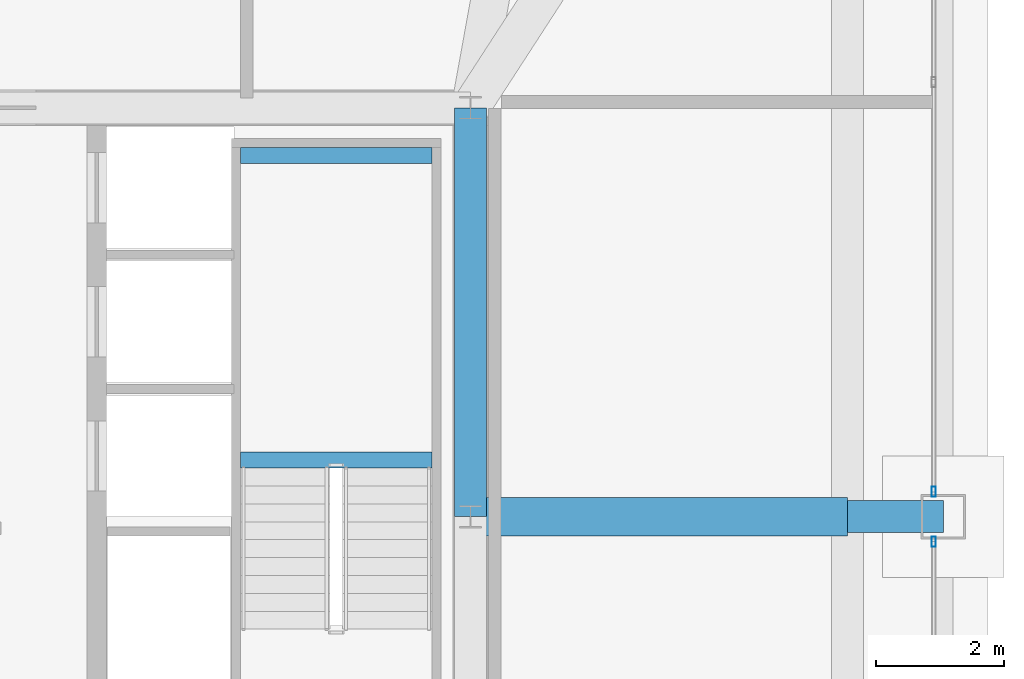
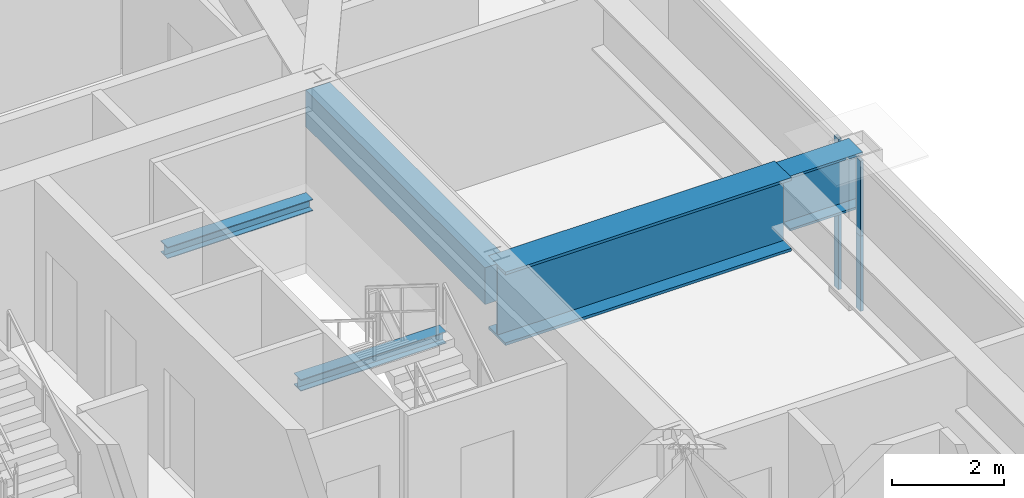
# One storey, part 17 of 33: 5 beams, 4 members, 2 elements without a shape of their own.
"""IFC4 building model written with IfcOpenShell, lengths in metres."""

from ifc_helpers import new_model, si_unit, direction, frame, origin, origin_2d, place, context, subcontext, project, spatial, rectangle, hollow_rectangle, i_section, extrude, source, transform, mapped, material, layer, layer_set, material_profile, profile_set, type_object, element, aggregate, save


model = new_model("IFC4")

# Units and contexts
model_context = context("Model", 3, precision=1e-05, world=origin(), true_north=direction((0.0, 1.0)))
body_context = subcontext(model_context, "Body", "Model", "MODEL_VIEW")
ifc_project = project(units=[si_unit("LENGTHUNIT", "METRE"), si_unit("AREAUNIT", "SQUARE_METRE"), si_unit("VOLUMEUNIT", "CUBIC_METRE"), si_unit("PLANEANGLEUNIT", "RADIAN"), si_unit("MASSUNIT", "GRAM", prefix="KILO"), si_unit("THERMODYNAMICTEMPERATUREUNIT", "KELVIN"), si_unit("POWERUNIT", "WATT")], contexts=[model_context])

# Site, building, storey
site_placement = place(None, origin())
site = spatial("IfcSite", under=ifc_project, at=site_placement, CompositionType="ELEMENT")
building_placement = place(site_placement, origin())
building = spatial("IfcBuilding", under=site, at=building_placement, Name="Yuzanri Waterfront Tower", CompositionType="ELEMENT")
storey_placement = place(building_placement, frame((0.0, 0.0, 282.10009765625)))
storey = spatial("IfcBuildingStorey", under=building, at=storey_placement, Name="L75", CompositionType="ELEMENT", Elevation=282.10009765625)

# Beams
ifc_material_1 = material(Name="Steel Q420GJC", Category="steel")
ifc_material_profile_1 = material_profile(ifc_material_1, i_section(OverallWidth=0.5, OverallDepth=1.199951171875, WebThickness=0.028076171875, FlangeThickness=0.050048828125, at=origin_2d()), Name="PG 1200x500x28x50")
ifc_profile_set_1 = profile_set([ifc_material_profile_1], Name="Steel Q420GJC")
beam_type_1 = type_object("IfcBeamType", Name="Setback Transfer Girder Q420GJC PG 1200x500", PredefinedType="USERDEFINED", material=ifc_profile_set_1)
shared_shape_1 = source(origin(), body_context, "Body", "SweptSolid", [
    extrude(i_section(OverallWidth=0.5, OverallDepth=1.199951171875, WebThickness=0.028076171875, FlangeThickness=0.050048828125, at=origin_2d()), origin(), (0.0, 0.0, 1.0), 1.5),
])
beam_1_placement = place(storey_placement, frame((56.10009765625, 25.800048828125, 2.679931640625), z_axis=(1.0, 0.0, 0.0), x_axis=(0.0, 1.0, 0.0)))
element("IfcBeam", 1, at=beam_1_placement, inside=storey, type_object=beam_type_1, Name="L75 Setback Step Transfer E2", ObjectType="GIRDER", PredefinedType="USERDEFINED", context=body_context, shape_type="MappedRepresentation", body=[
    mapped(shared_shape_1, transform((0.0, 0.0, 0.0), scale=1.0)),
])
ifc_material_2 = material(Name="Concrete C50", Category="concrete")
ifc_material_profile_2 = material_profile(ifc_material_2, rectangle(XDim=0.5, YDim=0.800048828125, at=origin_2d()), Name="RC 500x800")
ifc_profile_set_2 = profile_set([ifc_material_profile_2], Name="Concrete C50")
beam_type_2 = type_object("IfcBeamType", Name="Core Coupling Lintel Concrete C50 500x800", PredefinedType="LINTEL", material=ifc_profile_set_2)
shared_shape_2 = source(origin(), body_context, "Body", "SweptSolid", [
    extrude(rectangle(XDim=0.5, YDim=0.800048828125, at=origin_2d()), origin(), (0.0, 0.0, 1.0), 6.39990234375),
])
beam_2_placement = place(storey_placement, frame((50.199951171875, 25.800048828125, 2.8798828125), z_axis=(0.0, 1.0, 0.0), x_axis=(-1.0, 0.0, 0.0)))
element("IfcBeam", 2, at=beam_2_placement, inside=storey, type_object=beam_type_2, Name="L75 Core Tie Beam CE2", PredefinedType="LINTEL", context=body_context, shape_type="MappedRepresentation", body=[
    mapped(shared_shape_2, transform((0.0, 0.0, 0.0), scale=1.0)),
])
ifc_material_3 = material(Name="Steel Q420GJC", Category="steel")
ifc_material_profile_3 = material_profile(ifc_material_3, i_section(OverallWidth=0.60009765625, OverallDepth=1.60009765625, WebThickness=0.031982421875, FlangeThickness=0.06005859375, at=origin_2d()), Name="PG 1600x600x32x60")
ifc_profile_set_3 = profile_set([ifc_material_profile_3], Name="Steel Q420GJC")
beam_type_3 = type_object("IfcBeamType", Name="Ballroom Transfer Girder Q420GJC PG 1600x600", PredefinedType="USERDEFINED", material=ifc_profile_set_3)
shared_shape_3 = source(origin(), body_context, "Body", "SweptSolid", [
    extrude(i_section(OverallWidth=0.60009765625, OverallDepth=1.60009765625, WebThickness=0.031982421875, FlangeThickness=0.06005859375, at=origin_2d()), origin(), (0.0, 0.0, 1.0), 5.900146484375),
])
beam_3_placement = place(storey_placement, frame((50.199951171875, 25.800048828125, 2.47998046875), z_axis=(1.0, 0.0, 0.0), x_axis=(0.0, 1.0, 0.0)))
element("IfcBeam", 3, at=beam_3_placement, inside=storey, type_object=beam_type_3, Name="L75 Setback Inner Transfer E2", ObjectType="GIRDER", PredefinedType="USERDEFINED", context=body_context, shape_type="MappedRepresentation", body=[
    mapped(shared_shape_3, transform((0.0, 0.0, 0.0), scale=1.0)),
])

# Curtain wall, members
ifc_material_4 = material(Name="Anodized Architectural Bronze", Category="metal")
ifc_layer = layer(ifc_material_4, 0.159912109375)
ifc_layer_set = layer_set([ifc_layer], Name="Anodized Architectural Bronze")
curtain_wall_type = type_object("IfcCurtainWallType", Name="Anodized Bronze Mid-Rise Residential Acoustic Unitized Curtain Wall 7200", PredefinedType="NOTDEFINED", material=ifc_layer_set)
curtain_wall_1_placement = place(storey_placement, origin())
curtain_wall_1 = element("IfcCurtainWall", 4, at=curtain_wall_1_placement, inside=storey, type_object=curtain_wall_type, Name="L75 Curtain Wall CW-L75-EL", PredefinedType="NOTDEFINED")
ifc_material_5 = material(Name="Anodized Architectural Bronze", Category="metal")
ifc_material_profile_4 = material_profile(ifc_material_5, hollow_rectangle(XDim=0.06494140625, YDim=0.159912109375, WallThickness=0.00341796875, at=origin_2d()), Name="CWM 65x160")
ifc_profile_set_4 = profile_set([ifc_material_profile_4], Name="Anodized Architectural Bronze")
member_type = type_object("IfcMemberType", Name="Anodized Bronze Upper-Zone Curtain-Wall Mullion 65x160", PredefinedType="MULLION", material=ifc_profile_set_4)
shared_shape_4 = source(origin(), body_context, "Body", "SweptSolid", [
    extrude(hollow_rectangle(XDim=0.06494140625, YDim=0.159912109375, WallThickness=0.00341796875, at=origin_2d()), origin(), (0.0, 0.0, 1.0), 1.637939453125),
])
member_1_placement = place(storey_placement, frame((57.449951171875, 25.409912109375, 0.0), z_axis=(0.0, 0.0, 1.0), x_axis=(1.0, 0.0, 0.0)))
member_1 = element("IfcMember", 5, at=member_1_placement, type_object=member_type, Name="CW-L75-EL Lower Mullion 02", PredefinedType="MULLION", context=body_context, shape_type="MappedRepresentation", body=[
    mapped(shared_shape_4, transform((0.0, 0.0, 0.0), scale=1.0)),
])
member_2_placement = place(storey_placement, frame((57.449951171875, 25.409912109375, 1.641845703125), z_axis=(0.0, 0.0, 1.0), x_axis=(1.0, 0.0, 0.0)))
member_2 = element("IfcMember", 6, at=member_2_placement, type_object=member_type, Name="CW-L75-EL Upper Mullion 02", PredefinedType="MULLION", context=body_context, shape_type="MappedRepresentation", body=[
    mapped(shared_shape_4, transform((0.0, 0.0, 0.0), scale=1.0)),
])
aggregate(curtain_wall_1, [member_1, member_2])

curtain_wall_2_placement = place(storey_placement, origin())
curtain_wall_2 = element("IfcCurtainWall", 7, at=curtain_wall_2_placement, inside=storey, type_object=curtain_wall_type, Name="L75 Curtain Wall CW-L75-ER", PredefinedType="NOTDEFINED")
member_3_placement = place(storey_placement, frame((57.449951171875, 26.18994140625, 0.0), z_axis=(0.0, 0.0, 1.0), x_axis=(1.0, 0.0, 0.0)))
member_3 = element("IfcMember", 8, at=member_3_placement, type_object=member_type, Name="CW-L75-ER Lower Mullion 00", PredefinedType="MULLION", context=body_context, shape_type="MappedRepresentation", body=[
    mapped(shared_shape_4, transform((0.0, 0.0, 0.0), scale=1.0)),
])
member_4_placement = place(storey_placement, frame((57.449951171875, 26.18994140625, 1.641845703125), z_axis=(0.0, 0.0, 1.0), x_axis=(1.0, 0.0, 0.0)))
member_4 = element("IfcMember", 9, at=member_4_placement, type_object=member_type, Name="CW-L75-ER Upper Mullion 00", PredefinedType="MULLION", context=body_context, shape_type="MappedRepresentation", body=[
    mapped(shared_shape_4, transform((0.0, 0.0, 0.0), scale=1.0)),
])
aggregate(curtain_wall_2, [member_3, member_4])

# Beams
ifc_material_6 = material(Name="Steel Q355B", Category="steel")
ifc_material_profile_5 = material_profile(ifc_material_6, i_section(OverallWidth=0.25, OverallDepth=0.25, WebThickness=0.009033203125, FlangeThickness=0.013916015625, at=origin_2d()), Name="HW 250x250x9x14")
ifc_profile_set_5 = profile_set([ifc_material_profile_5], Name="Steel Q355B")
beam_type_4 = type_object("IfcBeamType", Name="Stair Landing Support Beam Q355B HW 250x250", PredefinedType="BEAM", material=ifc_profile_set_5)
shared_shape_5 = source(origin(), body_context, "Body", "SweptSolid", [
    extrude(i_section(OverallWidth=0.25, OverallDepth=0.25, WebThickness=0.009033203125, FlangeThickness=0.013916015625, at=origin_2d()), origin(), (0.0, 0.0, 1.0), 3.0),
])
for number, where, z_axis, x_axis, name in (
    (10, (46.60009765625, 26.68994140625, 1.4248046875), (1.0, 0.0, 0.0), (0.0, 1.0, 0.0), "L75 Stair Landing Support Beam ST-02-L75-L1-1"),
    (11, (46.60009765625, 31.449951171875, 1.4248046875), (1.0, 0.0, 0.0), (0.0, 1.0, 0.0), "L75 Stair Landing Support Beam ST-02-L75-L1-2"),
):
    element("IfcBeam", number, at=place(storey_placement, frame(where, z_axis=z_axis, x_axis=x_axis)), inside=storey, type_object=beam_type_4, Name=name, PredefinedType="BEAM", context=body_context, shape_type="MappedRepresentation", body=[
        mapped(shared_shape_5, transform((0.0, 0.0, 0.0), scale=1.0)),
    ])

save(model, "model.ifc")
